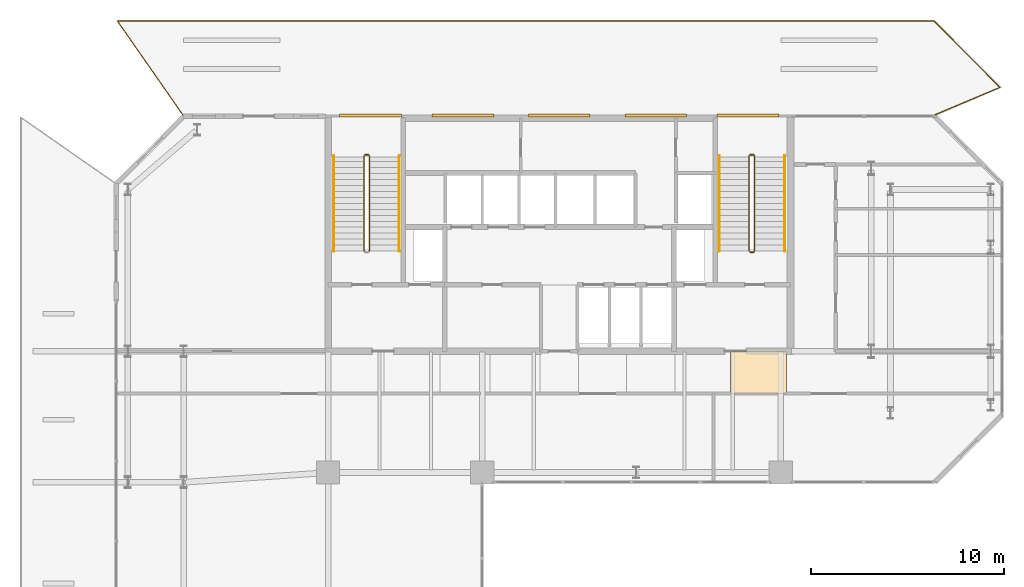
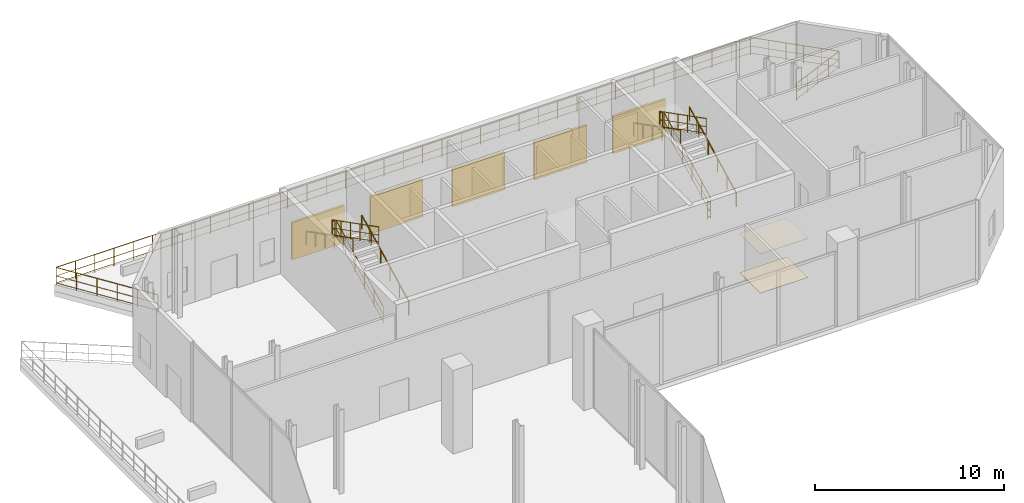
# One storey, part 18 of 18: 12 railings, 5 shading devices, 2 coverings.
"""IFC4 building model written with IfcOpenShell, lengths in metres."""

from ifc_helpers import new_model, si_unit, direction, frame, origin, origin_2d, place, context, subcontext, project, spatial, polyline, rectangle, circle, outline, extrude, material, layer, layer_set, type_object, element, save


model = new_model("IFC4")

# Units and contexts
model_context = context("Model", 3, precision=1e-05, world=origin(), true_north=direction((0.0, 1.0)))
body_context = subcontext(model_context, "Body", "Model", "MODEL_VIEW")
ifc_project = project(units=[si_unit("LENGTHUNIT", "METRE"), si_unit("AREAUNIT", "SQUARE_METRE"), si_unit("VOLUMEUNIT", "CUBIC_METRE"), si_unit("PLANEANGLEUNIT", "RADIAN"), si_unit("MASSUNIT", "GRAM", prefix="KILO")], contexts=[model_context])

# Site, building, storey
site_placement = place(None, origin())
site = spatial("IfcSite", under=ifc_project, at=site_placement, CompositionType="ELEMENT")
building_placement = place(site_placement, origin())
building = spatial("IfcBuilding", under=site, at=building_placement, Name="Catumbela Crestline Tower", CompositionType="ELEMENT")
storey_placement = place(building_placement, frame((0.0, 0.0, 148.8)))
storey = spatial("IfcBuildingStorey", under=building, at=storey_placement, Name="L38", CompositionType="ELEMENT", Elevation=148.8)

# Coverings
ifc_material_1 = material(Name="Mineral-fibre acoustic ceiling")
ifc_layer_1 = layer(ifc_material_1, 0.03, Name="Mineral-fibre acoustic ceiling")
ifc_layer_set_1 = layer_set([ifc_layer_1], Name="Mineral-fibre acoustic ceiling")
covering_type_1 = type_object("IfcCoveringType", Name="CC-AC", PredefinedType="CEILING", material=ifc_layer_set_1)
covering_1_placement = place(storey_placement, frame((0.0, 0.0, 2.52)))
element("IfcCovering", 1, at=covering_1_placement, inside=storey, type_object=covering_type_1, Name="L38 Corridor Acoustic Ceiling Bay 8", PredefinedType="CEILING", context=body_context, shape_type="SweptSolid", body=[
    extrude(outline(polyline([(36.9, 28.6), (39.8, 28.6), (39.8, 30.8), (36.9, 30.8), (36.9, 28.6)])), origin(), (0.0, 0.0, 1.0), 0.03),
])
ifc_material_2 = material(Name="Angolan grey-ochre granite", Category="masonry")
ifc_layer_2 = layer(ifc_material_2, 0.025, Name="Angolan grey-ochre granite")
ifc_layer_set_2 = layer_set([ifc_layer_2], Name="Angolan grey-ochre granite")
covering_type_2 = type_object("IfcCoveringType", Name="CF-GR", PredefinedType="FLOORING", material=ifc_layer_set_2)
covering_2_placement = place(storey_placement, origin())
element("IfcCovering", 2, at=covering_2_placement, inside=storey, type_object=covering_type_2, Name="L38 Corridor Granite Flooring Bay 8", PredefinedType="FLOORING", context=body_context, shape_type="SweptSolid", body=[
    extrude(outline(polyline([(36.9, 28.6), (39.8, 28.6), (39.8, 30.8), (36.9, 30.8), (36.9, 28.6)])), origin(), (0.0, 0.0, 1.0), 0.025),
])

# Railings
ifc_material_3 = material(Name="Stainless steel EN 1.4401", Category="steel")
railing_type_1 = type_object("IfcRailingType", Name="RG-1100", PredefinedType="GUARDRAIL", material=ifc_material_3)
railing_1_placement = place(storey_placement, frame((18.14, 36.0, 0.1588)))
element("IfcRailing", 3, at=railing_1_placement, inside=storey, type_object=railing_type_1, Name="L38 ST-01 stair guard 1", PredefinedType="GUARDRAIL", context=body_context, shape_type="SweptSolid", body=[
    extrude(circle(Radius=0.024, at=origin_2d()), frame((0.0, 0.0, 1.076), z_axis=(0.0, 0.889991507646, 0.455977100651), x_axis=(-1.0, 0.0, 0.0)), (0.0, 0.0, 1.0), 5.5731),
    extrude(circle(Radius=0.0156, at=origin_2d()), frame((0.0, 0.0, 0.55), z_axis=(0.0, 0.889991507646, 0.455977100651), x_axis=(-1.0, 0.0, 0.0)), (0.0, 0.0, 1.0), 5.5731),
    extrude(circle(Radius=0.0156, at=origin_2d()), frame((0.0, 0.0, 0.12), z_axis=(0.0, 0.889991507646, 0.455977100651), x_axis=(-1.0, 0.0, 0.0)), (0.0, 0.0, 1.0), 5.5731),
    extrude(circle(Radius=0.021, at=origin_2d()), origin(), (0.0, 0.0, 1.0), 1.052),
    extrude(circle(Radius=0.021, at=origin_2d()), frame((0.0, 0.992, 0.5082)), (0.0, 0.0, 1.0), 1.052),
    extrude(circle(Radius=0.021, at=origin_2d()), frame((0.0, 1.984, 1.0165)), (0.0, 0.0, 1.0), 1.052),
    extrude(circle(Radius=0.021, at=origin_2d()), frame((0.0, 2.976, 1.5247)), (0.0, 0.0, 1.0), 1.052),
    extrude(circle(Radius=0.021, at=origin_2d()), frame((0.0, 3.968, 2.033)), (0.0, 0.0, 1.0), 1.052),
    extrude(circle(Radius=0.021, at=origin_2d()), frame((0.0, 4.96, 2.5412)), (0.0, 0.0, 1.0), 1.052),
])
railing_2_placement = place(storey_placement, frame((18.09, 41.01, 2.7)))
element("IfcRailing", 4, at=railing_2_placement, inside=storey, type_object=railing_type_1, Name="L38 ST-01 stair guard 2", PredefinedType="GUARDRAIL", context=body_context, shape_type="SweptSolid", body=[
    extrude(circle(Radius=0.024, at=origin_2d()), frame((0.0, 0.0, 1.076), z_axis=(-1.0, 0.0, 0.0), x_axis=(0.0, -1.0, 0.0)), (0.0, 0.0, 1.0), 0.18),
    extrude(circle(Radius=0.0156, at=origin_2d()), frame((0.0, 0.0, 0.55), z_axis=(-1.0, 0.0, 0.0), x_axis=(0.0, -1.0, 0.0)), (0.0, 0.0, 1.0), 0.18),
    extrude(circle(Radius=0.0156, at=origin_2d()), frame((0.0, 0.0, 0.12), z_axis=(-1.0, 0.0, 0.0), x_axis=(0.0, -1.0, 0.0)), (0.0, 0.0, 1.0), 0.18),
    extrude(circle(Radius=0.021, at=origin_2d()), origin(), (0.0, 0.0, 1.0), 1.052),
    extrude(circle(Radius=0.021, at=origin_2d()), frame((-0.18, 0.0, 0.0)), (0.0, 0.0, 1.0), 1.052),
])
railing_3_placement = place(storey_placement, frame((17.86, 40.96, 2.8588)))
element("IfcRailing", 5, at=railing_3_placement, inside=storey, type_object=railing_type_1, Name="L38 ST-01 stair guard 3", PredefinedType="GUARDRAIL", context=body_context, shape_type="SweptSolid", body=[
    extrude(circle(Radius=0.024, at=origin_2d()), frame((0.0, 0.0, 1.076), z_axis=(0.0, -0.889991507646, 0.455977100651), x_axis=(1.0, 0.0, 0.0)), (0.0, 0.0, 1.0), 5.5731),
    extrude(circle(Radius=0.0156, at=origin_2d()), frame((0.0, 0.0, 0.55), z_axis=(0.0, -0.889991507646, 0.455977100651), x_axis=(1.0, 0.0, 0.0)), (0.0, 0.0, 1.0), 5.5731),
    extrude(circle(Radius=0.0156, at=origin_2d()), frame((0.0, 0.0, 0.12), z_axis=(0.0, -0.889991507646, 0.455977100651), x_axis=(1.0, 0.0, 0.0)), (0.0, 0.0, 1.0), 5.5731),
    extrude(circle(Radius=0.021, at=origin_2d()), origin(), (0.0, 0.0, 1.0), 1.052),
    extrude(circle(Radius=0.021, at=origin_2d()), frame((0.0, -0.992, 0.5082)), (0.0, 0.0, 1.0), 1.052),
    extrude(circle(Radius=0.021, at=origin_2d()), frame((0.0, -1.984, 1.0165)), (0.0, 0.0, 1.0), 1.052),
    extrude(circle(Radius=0.021, at=origin_2d()), frame((0.0, -2.976, 1.5247)), (0.0, 0.0, 1.0), 1.052),
    extrude(circle(Radius=0.021, at=origin_2d()), frame((0.0, -3.968, 2.033)), (0.0, 0.0, 1.0), 1.052),
    extrude(circle(Radius=0.021, at=origin_2d()), frame((0.0, -4.96, 2.5412)), (0.0, 0.0, 1.0), 1.052),
])
railing_4_placement = place(storey_placement, frame((38.14, 36.0, 0.1588)))
element("IfcRailing", 6, at=railing_4_placement, inside=storey, type_object=railing_type_1, Name="L38 ST-02 stair guard 1", PredefinedType="GUARDRAIL", context=body_context, shape_type="SweptSolid", body=[
    extrude(circle(Radius=0.024, at=origin_2d()), frame((0.0, 0.0, 1.076), z_axis=(0.0, 0.889991507646, 0.455977100651), x_axis=(-1.0, 0.0, 0.0)), (0.0, 0.0, 1.0), 5.5731),
    extrude(circle(Radius=0.0156, at=origin_2d()), frame((0.0, 0.0, 0.55), z_axis=(0.0, 0.889991507646, 0.455977100651), x_axis=(-1.0, 0.0, 0.0)), (0.0, 0.0, 1.0), 5.5731),
    extrude(circle(Radius=0.0156, at=origin_2d()), frame((0.0, 0.0, 0.12), z_axis=(0.0, 0.889991507646, 0.455977100651), x_axis=(-1.0, 0.0, 0.0)), (0.0, 0.0, 1.0), 5.5731),
    extrude(circle(Radius=0.021, at=origin_2d()), origin(), (0.0, 0.0, 1.0), 1.052),
    extrude(circle(Radius=0.021, at=origin_2d()), frame((0.0, 0.992, 0.5082)), (0.0, 0.0, 1.0), 1.052),
    extrude(circle(Radius=0.021, at=origin_2d()), frame((0.0, 1.984, 1.0165)), (0.0, 0.0, 1.0), 1.052),
    extrude(circle(Radius=0.021, at=origin_2d()), frame((0.0, 2.976, 1.5247)), (0.0, 0.0, 1.0), 1.052),
    extrude(circle(Radius=0.021, at=origin_2d()), frame((0.0, 3.968, 2.033)), (0.0, 0.0, 1.0), 1.052),
    extrude(circle(Radius=0.021, at=origin_2d()), frame((0.0, 4.96, 2.5412)), (0.0, 0.0, 1.0), 1.052),
])
railing_5_placement = place(storey_placement, frame((38.09, 41.01, 2.7)))
element("IfcRailing", 7, at=railing_5_placement, inside=storey, type_object=railing_type_1, Name="L38 ST-02 stair guard 2", PredefinedType="GUARDRAIL", context=body_context, shape_type="SweptSolid", body=[
    extrude(circle(Radius=0.024, at=origin_2d()), frame((0.0, 0.0, 1.076), z_axis=(-1.0, 0.0, 0.0), x_axis=(0.0, -1.0, 0.0)), (0.0, 0.0, 1.0), 0.18),
    extrude(circle(Radius=0.0156, at=origin_2d()), frame((0.0, 0.0, 0.55), z_axis=(-1.0, 0.0, 0.0), x_axis=(0.0, -1.0, 0.0)), (0.0, 0.0, 1.0), 0.18),
    extrude(circle(Radius=0.0156, at=origin_2d()), frame((0.0, 0.0, 0.12), z_axis=(-1.0, 0.0, 0.0), x_axis=(0.0, -1.0, 0.0)), (0.0, 0.0, 1.0), 0.18),
    extrude(circle(Radius=0.021, at=origin_2d()), origin(), (0.0, 0.0, 1.0), 1.052),
    extrude(circle(Radius=0.021, at=origin_2d()), frame((-0.18, 0.0, 0.0)), (0.0, 0.0, 1.0), 1.052),
])
railing_6_placement = place(storey_placement, frame((37.86, 40.96, 2.8588)))
element("IfcRailing", 8, at=railing_6_placement, inside=storey, type_object=railing_type_1, Name="L38 ST-02 stair guard 3", PredefinedType="GUARDRAIL", context=body_context, shape_type="SweptSolid", body=[
    extrude(circle(Radius=0.024, at=origin_2d()), frame((0.0, 0.0, 1.076), z_axis=(0.0, -0.889991507646, 0.455977100651), x_axis=(1.0, 0.0, 0.0)), (0.0, 0.0, 1.0), 5.5731),
    extrude(circle(Radius=0.0156, at=origin_2d()), frame((0.0, 0.0, 0.55), z_axis=(0.0, -0.889991507646, 0.455977100651), x_axis=(1.0, 0.0, 0.0)), (0.0, 0.0, 1.0), 5.5731),
    extrude(circle(Radius=0.0156, at=origin_2d()), frame((0.0, 0.0, 0.12), z_axis=(0.0, -0.889991507646, 0.455977100651), x_axis=(1.0, 0.0, 0.0)), (0.0, 0.0, 1.0), 5.5731),
    extrude(circle(Radius=0.021, at=origin_2d()), origin(), (0.0, 0.0, 1.0), 1.052),
    extrude(circle(Radius=0.021, at=origin_2d()), frame((0.0, -0.992, 0.5082)), (0.0, 0.0, 1.0), 1.052),
    extrude(circle(Radius=0.021, at=origin_2d()), frame((0.0, -1.984, 1.0165)), (0.0, 0.0, 1.0), 1.052),
    extrude(circle(Radius=0.021, at=origin_2d()), frame((0.0, -2.976, 1.5247)), (0.0, 0.0, 1.0), 1.052),
    extrude(circle(Radius=0.021, at=origin_2d()), frame((0.0, -3.968, 2.033)), (0.0, 0.0, 1.0), 1.052),
    extrude(circle(Radius=0.021, at=origin_2d()), frame((0.0, -4.96, 2.5412)), (0.0, 0.0, 1.0), 1.052),
])
railing_7_placement = place(storey_placement, frame((38.09, 35.95, 0.0)))
element("IfcRailing", 9, at=railing_7_placement, inside=storey, type_object=railing_type_1, Name="L38 ST-02 stair guard 4", PredefinedType="GUARDRAIL", context=body_context, shape_type="SweptSolid", body=[
    extrude(circle(Radius=0.024, at=origin_2d()), frame((0.0, 0.0, 1.076), z_axis=(-1.0, 0.0, 0.0), x_axis=(0.0, -1.0, 0.0)), (0.0, 0.0, 1.0), 0.18),
    extrude(circle(Radius=0.0156, at=origin_2d()), frame((0.0, 0.0, 0.55), z_axis=(-1.0, 0.0, 0.0), x_axis=(0.0, -1.0, 0.0)), (0.0, 0.0, 1.0), 0.18),
    extrude(circle(Radius=0.0156, at=origin_2d()), frame((0.0, 0.0, 0.12), z_axis=(-1.0, 0.0, 0.0), x_axis=(0.0, -1.0, 0.0)), (0.0, 0.0, 1.0), 0.18),
    extrude(circle(Radius=0.021, at=origin_2d()), origin(), (0.0, 0.0, 1.0), 1.052),
    extrude(circle(Radius=0.021, at=origin_2d()), frame((-0.18, 0.0, 0.0)), (0.0, 0.0, 1.0), 1.052),
])
railing_type_2 = type_object("IfcRailingType", Name="RH-0900", PredefinedType="HANDRAIL", material=ifc_material_3)
railing_8_placement = place(storey_placement, frame((19.7, 36.0, 0.1588)))
element("IfcRailing", 10, at=railing_8_placement, inside=storey, type_object=railing_type_2, Name="L38 ST-01 stair handrail 1", PredefinedType="HANDRAIL", context=body_context, shape_type="SweptSolid", body=[
    extrude(circle(Radius=0.024, at=origin_2d()), frame((0.0, 0.0, 0.876), z_axis=(0.0, 0.889991507646, 0.455977100651), x_axis=(-1.0, 0.0, 0.0)), (0.0, 0.0, 1.0), 5.5731),
    extrude(circle(Radius=0.021, at=origin_2d()), origin(), (0.0, 0.0, 1.0), 0.852),
    extrude(circle(Radius=0.021, at=origin_2d()), frame((0.0, 0.992, 0.5082)), (0.0, 0.0, 1.0), 0.852),
    extrude(circle(Radius=0.021, at=origin_2d()), frame((0.0, 1.984, 1.0165)), (0.0, 0.0, 1.0), 0.852),
    extrude(circle(Radius=0.021, at=origin_2d()), frame((0.0, 2.976, 1.5247)), (0.0, 0.0, 1.0), 0.852),
    extrude(circle(Radius=0.021, at=origin_2d()), frame((0.0, 3.968, 2.033)), (0.0, 0.0, 1.0), 0.852),
    extrude(circle(Radius=0.021, at=origin_2d()), frame((0.0, 4.96, 2.5412)), (0.0, 0.0, 1.0), 0.852),
])
railing_9_placement = place(storey_placement, frame((16.3, 40.96, 2.8588)))
element("IfcRailing", 11, at=railing_9_placement, inside=storey, type_object=railing_type_2, Name="L38 ST-01 stair handrail 2", PredefinedType="HANDRAIL", context=body_context, shape_type="SweptSolid", body=[
    extrude(circle(Radius=0.024, at=origin_2d()), frame((0.0, 0.0, 0.876), z_axis=(0.0, -0.889991507646, 0.455977100651), x_axis=(1.0, 0.0, 0.0)), (0.0, 0.0, 1.0), 5.5731),
    extrude(circle(Radius=0.021, at=origin_2d()), origin(), (0.0, 0.0, 1.0), 0.852),
    extrude(circle(Radius=0.021, at=origin_2d()), frame((0.0, -0.992, 0.5082)), (0.0, 0.0, 1.0), 0.852),
    extrude(circle(Radius=0.021, at=origin_2d()), frame((0.0, -1.984, 1.0165)), (0.0, 0.0, 1.0), 0.852),
    extrude(circle(Radius=0.021, at=origin_2d()), frame((0.0, -2.976, 1.5247)), (0.0, 0.0, 1.0), 0.852),
    extrude(circle(Radius=0.021, at=origin_2d()), frame((0.0, -3.968, 2.033)), (0.0, 0.0, 1.0), 0.852),
    extrude(circle(Radius=0.021, at=origin_2d()), frame((0.0, -4.96, 2.5412)), (0.0, 0.0, 1.0), 0.852),
])
railing_10_placement = place(storey_placement, frame((39.7, 36.0, 0.1588)))
element("IfcRailing", 12, at=railing_10_placement, inside=storey, type_object=railing_type_2, Name="L38 ST-02 stair handrail 1", PredefinedType="HANDRAIL", context=body_context, shape_type="SweptSolid", body=[
    extrude(circle(Radius=0.024, at=origin_2d()), frame((0.0, 0.0, 0.876), z_axis=(0.0, 0.889991507646, 0.455977100651), x_axis=(-1.0, 0.0, 0.0)), (0.0, 0.0, 1.0), 5.5731),
    extrude(circle(Radius=0.021, at=origin_2d()), origin(), (0.0, 0.0, 1.0), 0.852),
    extrude(circle(Radius=0.021, at=origin_2d()), frame((0.0, 0.992, 0.5082)), (0.0, 0.0, 1.0), 0.852),
    extrude(circle(Radius=0.021, at=origin_2d()), frame((0.0, 1.984, 1.0165)), (0.0, 0.0, 1.0), 0.852),
    extrude(circle(Radius=0.021, at=origin_2d()), frame((0.0, 2.976, 1.5247)), (0.0, 0.0, 1.0), 0.852),
    extrude(circle(Radius=0.021, at=origin_2d()), frame((0.0, 3.968, 2.033)), (0.0, 0.0, 1.0), 0.852),
    extrude(circle(Radius=0.021, at=origin_2d()), frame((0.0, 4.96, 2.5412)), (0.0, 0.0, 1.0), 0.852),
])
railing_11_placement = place(storey_placement, frame((36.3, 40.96, 2.8588)))
element("IfcRailing", 13, at=railing_11_placement, inside=storey, type_object=railing_type_2, Name="L38 ST-02 stair handrail 2", PredefinedType="HANDRAIL", context=body_context, shape_type="SweptSolid", body=[
    extrude(circle(Radius=0.024, at=origin_2d()), frame((0.0, 0.0, 0.876), z_axis=(0.0, -0.889991507646, 0.455977100651), x_axis=(1.0, 0.0, 0.0)), (0.0, 0.0, 1.0), 5.5731),
    extrude(circle(Radius=0.021, at=origin_2d()), origin(), (0.0, 0.0, 1.0), 0.852),
    extrude(circle(Radius=0.021, at=origin_2d()), frame((0.0, -0.992, 0.5082)), (0.0, 0.0, 1.0), 0.852),
    extrude(circle(Radius=0.021, at=origin_2d()), frame((0.0, -1.984, 1.0165)), (0.0, 0.0, 1.0), 0.852),
    extrude(circle(Radius=0.021, at=origin_2d()), frame((0.0, -2.976, 1.5247)), (0.0, 0.0, 1.0), 0.852),
    extrude(circle(Radius=0.021, at=origin_2d()), frame((0.0, -3.968, 2.033)), (0.0, 0.0, 1.0), 0.852),
    extrude(circle(Radius=0.021, at=origin_2d()), frame((0.0, -4.96, 2.5412)), (0.0, 0.0, 1.0), 0.852),
])
railing_type_3 = type_object("IfcRailingType", Name="RT-1150", PredefinedType="BALUSTRADE", material=ifc_material_3)
railing_12_placement = place(storey_placement, frame((8.46, 43.06, -0.02)))
element("IfcRailing", 14, at=railing_12_placement, inside=storey, type_object=railing_type_3, Name="L38 Sky-Garden Terrace Balustrade TER-L38-N", PredefinedType="BALUSTRADE", context=body_context, shape_type="SweptSolid", body=[
    extrude(circle(Radius=0.024, at=origin_2d()), frame((0.0, 0.0, 1.126), z_axis=(-0.571655486307, 0.820493756817, 0.0), x_axis=(-0.820493756817, -0.571655486307, 0.0)), (0.0, 0.0, 1.0), 5.9476),
    extrude(circle(Radius=0.0156, at=origin_2d()), frame((0.0, 0.0, 0.575), z_axis=(-0.571655486307, 0.820493756817, 0.0), x_axis=(-0.820493756817, -0.571655486307, 0.0)), (0.0, 0.0, 1.0), 5.9476),
    extrude(circle(Radius=0.0156, at=origin_2d()), frame((0.0, 0.0, 0.12), z_axis=(-0.571655486307, 0.820493756817, 0.0), x_axis=(-0.820493756817, -0.571655486307, 0.0)), (0.0, 0.0, 1.0), 5.9476),
    extrude(circle(Radius=0.024, at=origin_2d()), frame((-3.4, 4.88, 1.126), z_axis=(1.0, 0.0, 0.0), x_axis=(0.0, 1.0, 0.0)), (0.0, 0.0, 1.0), 42.4),
    extrude(circle(Radius=0.0156, at=origin_2d()), frame((-3.4, 4.88, 0.575), z_axis=(1.0, 0.0, 0.0), x_axis=(0.0, 1.0, 0.0)), (0.0, 0.0, 1.0), 42.4),
    extrude(circle(Radius=0.0156, at=origin_2d()), frame((-3.4, 4.88, 0.12), z_axis=(1.0, 0.0, 0.0), x_axis=(0.0, 1.0, 0.0)), (0.0, 0.0, 1.0), 42.4),
    extrude(circle(Radius=0.024, at=origin_2d()), frame((39.0, 4.88, 1.126), z_axis=(0.705042249008, -0.709165303095, 0.0), x_axis=(0.709165303095, 0.705042249008, 0.0)), (0.0, 0.0, 1.0), 4.8508),
    extrude(circle(Radius=0.0156, at=origin_2d()), frame((39.0, 4.88, 0.575), z_axis=(0.705042249008, -0.709165303095, 0.0), x_axis=(0.709165303095, 0.705042249008, 0.0)), (0.0, 0.0, 1.0), 4.8508),
    extrude(circle(Radius=0.0156, at=origin_2d()), frame((39.0, 4.88, 0.12), z_axis=(0.705042249008, -0.709165303095, 0.0), x_axis=(0.709165303095, 0.705042249008, 0.0)), (0.0, 0.0, 1.0), 4.8508),
    extrude(circle(Radius=0.024, at=origin_2d()), frame((42.42, 1.44, 1.126), z_axis=(-0.921635375138, -0.388057000058, 0.0), x_axis=(0.388057000058, -0.921635375138, 0.0)), (0.0, 0.0, 1.0), 3.7108),
    extrude(circle(Radius=0.0156, at=origin_2d()), frame((42.42, 1.44, 0.575), z_axis=(-0.921635375138, -0.388057000058, 0.0), x_axis=(0.388057000058, -0.921635375138, 0.0)), (0.0, 0.0, 1.0), 3.7108),
    extrude(circle(Radius=0.0156, at=origin_2d()), frame((42.42, 1.44, 0.12), z_axis=(-0.921635375138, -0.388057000058, 0.0), x_axis=(0.388057000058, -0.921635375138, 0.0)), (0.0, 0.0, 1.0), 3.7108),
    extrude(circle(Radius=0.021, at=origin_2d()), origin(), (0.0, 0.0, 1.0), 1.102),
    extrude(circle(Radius=0.021, at=origin_2d()), frame((-0.68, 0.976, 0.0)), (0.0, 0.0, 1.0), 1.102),
    extrude(circle(Radius=0.021, at=origin_2d()), frame((-1.36, 1.952, 0.0)), (0.0, 0.0, 1.0), 1.102),
    extrude(circle(Radius=0.021, at=origin_2d()), frame((-2.04, 2.928, 0.0)), (0.0, 0.0, 1.0), 1.102),
    extrude(circle(Radius=0.021, at=origin_2d()), frame((-2.72, 3.904, 0.0)), (0.0, 0.0, 1.0), 1.102),
    extrude(circle(Radius=0.021, at=origin_2d()), frame((-3.4, 4.88, 0.0)), (0.0, 0.0, 1.0), 1.102),
    extrude(circle(Radius=0.021, at=origin_2d()), frame((-2.2222, 4.88, 0.0)), (0.0, 0.0, 1.0), 1.102),
    extrude(circle(Radius=0.021, at=origin_2d()), frame((-1.0444, 4.88, 0.0)), (0.0, 0.0, 1.0), 1.102),
    extrude(circle(Radius=0.021, at=origin_2d()), frame((0.1333, 4.88, 0.0)), (0.0, 0.0, 1.0), 1.102),
    extrude(circle(Radius=0.021, at=origin_2d()), frame((1.3111, 4.88, 0.0)), (0.0, 0.0, 1.0), 1.102),
    extrude(circle(Radius=0.021, at=origin_2d()), frame((2.4889, 4.88, 0.0)), (0.0, 0.0, 1.0), 1.102),
    extrude(circle(Radius=0.021, at=origin_2d()), frame((3.6667, 4.88, 0.0)), (0.0, 0.0, 1.0), 1.102),
    extrude(circle(Radius=0.021, at=origin_2d()), frame((4.8444, 4.88, 0.0)), (0.0, 0.0, 1.0), 1.102),
    extrude(circle(Radius=0.021, at=origin_2d()), frame((6.0222, 4.88, 0.0)), (0.0, 0.0, 1.0), 1.102),
    extrude(circle(Radius=0.021, at=origin_2d()), frame((7.2, 4.88, 0.0)), (0.0, 0.0, 1.0), 1.102),
    extrude(circle(Radius=0.021, at=origin_2d()), frame((8.3778, 4.88, 0.0)), (0.0, 0.0, 1.0), 1.102),
    extrude(circle(Radius=0.021, at=origin_2d()), frame((9.5556, 4.88, 0.0)), (0.0, 0.0, 1.0), 1.102),
    extrude(circle(Radius=0.021, at=origin_2d()), frame((10.7333, 4.88, 0.0)), (0.0, 0.0, 1.0), 1.102),
    extrude(circle(Radius=0.021, at=origin_2d()), frame((11.9111, 4.88, 0.0)), (0.0, 0.0, 1.0), 1.102),
    extrude(circle(Radius=0.021, at=origin_2d()), frame((13.0889, 4.88, 0.0)), (0.0, 0.0, 1.0), 1.102),
    extrude(circle(Radius=0.021, at=origin_2d()), frame((14.2667, 4.88, 0.0)), (0.0, 0.0, 1.0), 1.102),
    extrude(circle(Radius=0.021, at=origin_2d()), frame((15.4444, 4.88, 0.0)), (0.0, 0.0, 1.0), 1.102),
    extrude(circle(Radius=0.021, at=origin_2d()), frame((16.6222, 4.88, 0.0)), (0.0, 0.0, 1.0), 1.102),
    extrude(circle(Radius=0.021, at=origin_2d()), frame((17.8, 4.88, 0.0)), (0.0, 0.0, 1.0), 1.102),
    extrude(circle(Radius=0.021, at=origin_2d()), frame((18.9778, 4.88, 0.0)), (0.0, 0.0, 1.0), 1.102),
    extrude(circle(Radius=0.021, at=origin_2d()), frame((20.1556, 4.88, 0.0)), (0.0, 0.0, 1.0), 1.102),
    extrude(circle(Radius=0.021, at=origin_2d()), frame((21.3333, 4.88, 0.0)), (0.0, 0.0, 1.0), 1.102),
    extrude(circle(Radius=0.021, at=origin_2d()), frame((22.5111, 4.88, 0.0)), (0.0, 0.0, 1.0), 1.102),
    extrude(circle(Radius=0.021, at=origin_2d()), frame((23.6889, 4.88, 0.0)), (0.0, 0.0, 1.0), 1.102),
    extrude(circle(Radius=0.021, at=origin_2d()), frame((24.8667, 4.88, 0.0)), (0.0, 0.0, 1.0), 1.102),
    extrude(circle(Radius=0.021, at=origin_2d()), frame((26.0444, 4.88, 0.0)), (0.0, 0.0, 1.0), 1.102),
    extrude(circle(Radius=0.021, at=origin_2d()), frame((27.2222, 4.88, 0.0)), (0.0, 0.0, 1.0), 1.102),
    extrude(circle(Radius=0.021, at=origin_2d()), frame((28.4, 4.88, 0.0)), (0.0, 0.0, 1.0), 1.102),
    extrude(circle(Radius=0.021, at=origin_2d()), frame((29.5778, 4.88, 0.0)), (0.0, 0.0, 1.0), 1.102),
    extrude(circle(Radius=0.021, at=origin_2d()), frame((30.7556, 4.88, 0.0)), (0.0, 0.0, 1.0), 1.102),
    extrude(circle(Radius=0.021, at=origin_2d()), frame((31.9333, 4.88, 0.0)), (0.0, 0.0, 1.0), 1.102),
    extrude(circle(Radius=0.021, at=origin_2d()), frame((33.1111, 4.88, 0.0)), (0.0, 0.0, 1.0), 1.102),
    extrude(circle(Radius=0.021, at=origin_2d()), frame((34.2889, 4.88, 0.0)), (0.0, 0.0, 1.0), 1.102),
    extrude(circle(Radius=0.021, at=origin_2d()), frame((35.4667, 4.88, 0.0)), (0.0, 0.0, 1.0), 1.102),
    extrude(circle(Radius=0.021, at=origin_2d()), frame((36.6444, 4.88, 0.0)), (0.0, 0.0, 1.0), 1.102),
    extrude(circle(Radius=0.021, at=origin_2d()), frame((37.8222, 4.88, 0.0)), (0.0, 0.0, 1.0), 1.102),
    extrude(circle(Radius=0.021, at=origin_2d()), frame((39.0, 4.88, 0.0)), (0.0, 0.0, 1.0), 1.102),
    extrude(circle(Radius=0.021, at=origin_2d()), frame((39.684, 4.192, 0.0)), (0.0, 0.0, 1.0), 1.102),
    extrude(circle(Radius=0.021, at=origin_2d()), frame((40.368, 3.504, 0.0)), (0.0, 0.0, 1.0), 1.102),
    extrude(circle(Radius=0.021, at=origin_2d()), frame((41.052, 2.816, 0.0)), (0.0, 0.0, 1.0), 1.102),
    extrude(circle(Radius=0.021, at=origin_2d()), frame((41.736, 2.128, 0.0)), (0.0, 0.0, 1.0), 1.102),
    extrude(circle(Radius=0.021, at=origin_2d()), frame((42.42, 1.44, 0.0)), (0.0, 0.0, 1.0), 1.102),
    extrude(circle(Radius=0.021, at=origin_2d()), frame((41.565, 1.08, 0.0)), (0.0, 0.0, 1.0), 1.102),
    extrude(circle(Radius=0.021, at=origin_2d()), frame((40.71, 0.72, 0.0)), (0.0, 0.0, 1.0), 1.102),
    extrude(circle(Radius=0.021, at=origin_2d()), frame((39.855, 0.36, 0.0)), (0.0, 0.0, 1.0), 1.102),
    extrude(circle(Radius=0.021, at=origin_2d()), frame((39.0, 0.0, 0.0)), (0.0, 0.0, 1.0), 1.102),
])

# Shading devices
ifc_material_4 = material(Name="Extruded terracotta ceramic", Category="masonry")
shading_device_type_1 = type_object("IfcShadingDeviceType", Name="ST-180", PredefinedType="USERDEFINED", material=ifc_material_4)
for number, where, z_axis, x_axis, name in (
    (15, (18.2, 43.04, 0.55), (0.0, 0.0, 1.0), (1.0, 0.0, 0.0), "L38 Rear Core Terracotta Brise-Soleil Screen 406"),
    (16, (33.0, 43.04, 0.55), (0.0, 0.0, 1.0), (1.0, 0.0, 0.0), "L38 Rear Core Terracotta Brise-Soleil Screen 409"),
):
    element("IfcShadingDevice", number, at=place(storey_placement, frame(where, z_axis=z_axis, x_axis=x_axis)), inside=storey, type_object=shading_device_type_1, Name=name, ObjectType="SCREEN", PredefinedType="USERDEFINED", context=body_context, shape_type="SweptSolid", body=[
        extrude(rectangle(XDim=3.2, YDim=0.14, at=origin_2d()), origin(), (0.0, 0.0, 1.0), 2.4),
    ])
shading_device_type_2 = type_object("IfcShadingDeviceType", Name="ST-260", PredefinedType="USERDEFINED", material=ifc_material_4)
for number, where, z_axis, x_axis, name in (
    (17, (28.0, 43.04, 0.55), (0.0, 0.0, 1.0), (1.0, 0.0, 0.0), "L38 Rear Core Terracotta Brise-Soleil Screen 408"),
    (18, (37.8, 43.04, 0.55), (0.0, 0.0, 1.0), (1.0, 0.0, 0.0), "L38 Rear Core Terracotta Brise-Soleil Screen 410"),
):
    element("IfcShadingDevice", number, at=place(storey_placement, frame(where, z_axis=z_axis, x_axis=x_axis)), inside=storey, type_object=shading_device_type_2, Name=name, ObjectType="SCREEN", PredefinedType="USERDEFINED", context=body_context, shape_type="SweptSolid", body=[
        extrude(rectangle(XDim=3.2, YDim=0.14, at=origin_2d()), origin(), (0.0, 0.0, 1.0), 2.4),
    ])
shading_device_type_3 = type_object("IfcShadingDeviceType", Name="ST-340", PredefinedType="USERDEFINED", material=ifc_material_4)
shading_device_placement = place(storey_placement, frame((23.0, 43.04, 0.55), z_axis=(0.0, 0.0, 1.0), x_axis=(1.0, 0.0, 0.0)))
element("IfcShadingDevice", 19, at=shading_device_placement, inside=storey, type_object=shading_device_type_3, Name="L38 Rear Core Terracotta Brise-Soleil Screen 407", ObjectType="SCREEN", PredefinedType="USERDEFINED", context=body_context, shape_type="SweptSolid", body=[
    extrude(rectangle(XDim=3.2, YDim=0.14, at=origin_2d()), origin(), (0.0, 0.0, 1.0), 2.4),
])

save(model, "model.ifc")
